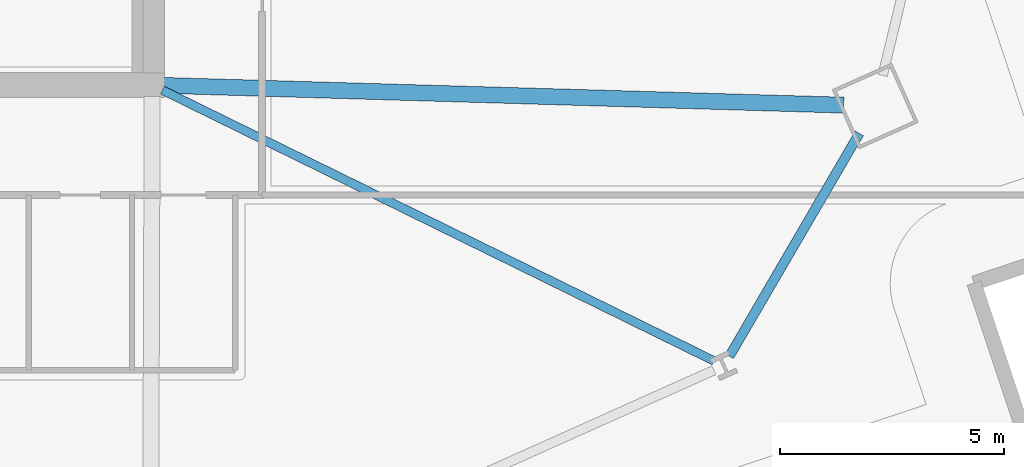
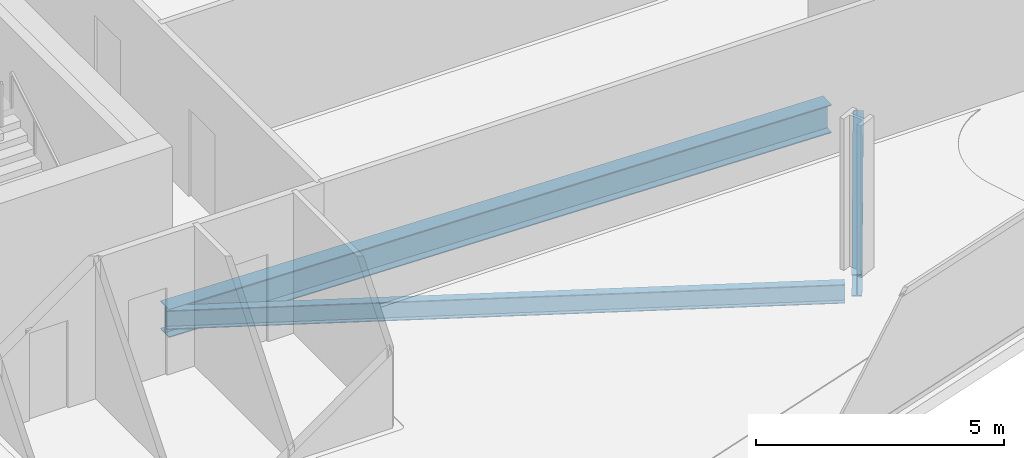
# One storey, part 11 of 34: 3 beams.
"""IFC4 building model written with IfcOpenShell, lengths in metres."""

from ifc_helpers import new_model, si_unit, direction, frame, origin, origin_2d, place, context, subcontext, project, spatial, i_section, extrude, material, material_profile, profile_set, type_object, element, save


model = new_model("IFC4")

# Units and contexts
model_context = context("Model", 3, precision=1e-05, world=origin(), true_north=direction((0.0, 1.0)))
body_context = subcontext(model_context, "Body", "Model", "MODEL_VIEW")
ifc_project = project(units=[si_unit("LENGTHUNIT", "METRE"), si_unit("AREAUNIT", "SQUARE_METRE"), si_unit("VOLUMEUNIT", "CUBIC_METRE"), si_unit("PLANEANGLEUNIT", "RADIAN"), si_unit("MASSUNIT", "GRAM", prefix="KILO")], contexts=[model_context])

# Site, building, storey
site_placement = place(None, origin())
site = spatial("IfcSite", under=ifc_project, at=site_placement, CompositionType="ELEMENT")
building_placement = place(site_placement, origin())
building = spatial("IfcBuilding", under=site, at=building_placement, Name="Haldenkirk Collegiate Tower", CompositionType="ELEMENT")
storey_placement = place(building_placement, frame((0.0, 0.0, 90.449951171875)))
storey = spatial("IfcBuildingStorey", under=building, at=storey_placement, Name="L21", CompositionType="ELEMENT", Elevation=90.449951171875)

# Beams
ifc_material = material(Name="Steel ASTM A992 Grade 50", Category="steel")
ifc_material_profile_1 = material_profile(ifc_material, i_section(OverallWidth=0.35498046875, OverallDepth=0.696044921875, WebThickness=0.015380859375, FlangeThickness=0.02490234375, at=origin_2d()), Name="W27X146")
ifc_profile_set_1 = profile_set([ifc_material_profile_1], Name="Steel ASTM A992 Grade 50")
beam_type_1 = type_object("IfcBeamType", Name="BM-GIRDER-W27X146", PredefinedType="BEAM", material=ifc_profile_set_1)
beam_1_placement = place(storey_placement, frame((60.4072265625, 17.55322265625, -0.64794921875), z_axis=(-0.999579697841, 0.028990130448, 0.0), x_axis=(-0.028990130448, -0.999579697841, 0.0)))
element("IfcBeam", 1, at=beam_1_placement, inside=storey, type_object=beam_type_1, Name="L21 primary floor girder 02", PredefinedType="BEAM", context=body_context, shape_type="SweptSolid", body=[
    extrude(i_section(OverallWidth=0.35498046875, OverallDepth=0.696044921875, WebThickness=0.015380859375, FlangeThickness=0.02490234375, at=origin_2d()), origin(), (0.0, 0.0, 1.0), 15.15869140625),
])
ifc_material_profile_2 = material_profile(ifc_material, i_section(OverallWidth=0.19189453125, OverallDepth=0.462890625, WebThickness=0.010498046875, FlangeThickness=0.017578125, at=origin_2d()), Name="W18X60")
ifc_profile_set_2 = profile_set([ifc_material_profile_2], Name="Steel ASTM A992 Grade 50")
beam_type_2 = type_object("IfcBeamType", Name="BM-JOIST-W18X60", PredefinedType="JOIST", material=ifc_profile_set_2)
beam_2_placement = place(storey_placement, frame((57.517822265625, 11.8544921875, -0.531494140625), z_axis=(-0.897652859595, 0.440703237634, 0.0), x_axis=(-0.440703237634, -0.897652859595, 0.0)))
element("IfcBeam", 2, at=beam_2_placement, inside=storey, type_object=beam_type_2, Name="L21 composite floor joist 07", PredefinedType="JOIST", context=body_context, shape_type="SweptSolid", body=[
    extrude(i_section(OverallWidth=0.19189453125, OverallDepth=0.462890625, WebThickness=0.010498046875, FlangeThickness=0.017578125, at=origin_2d()), origin(), (0.0, 0.0, 1.0), 13.68994140625),
])
ifc_material_profile_3 = material_profile(ifc_material, i_section(OverallWidth=0.2119140625, OverallDepth=0.5439453125, WebThickness=0.01318359375, FlangeThickness=0.021240234375, at=origin_2d()), Name="W21X83")
ifc_profile_set_3 = profile_set([ifc_material_profile_3], Name="Steel ASTM A992 Grade 50")
beam_type_3 = type_object("IfcBeamType", Name="BM-SPANDREL-W21X83", PredefinedType="SPANDREL", material=ifc_profile_set_3)
beam_3_placement = place(storey_placement, frame((57.86181640625, 11.958251953125, -0.572021484375), z_axis=(0.503667660107, 0.863897498643, 0.0), x_axis=(-0.863897498643, 0.503667660107, 0.0)))
element("IfcBeam", 3, at=beam_3_placement, inside=storey, type_object=beam_type_3, Name="L21 perimeter spandrel beam 04", PredefinedType="SPANDREL", context=body_context, shape_type="SweptSolid", body=[
    extrude(i_section(OverallWidth=0.2119140625, OverallDepth=0.5439453125, WebThickness=0.01318359375, FlangeThickness=0.021240234375, at=origin_2d()), origin(), (0.0, 0.0, 1.0), 5.747802734375),
])

save(model, "model.ifc")
